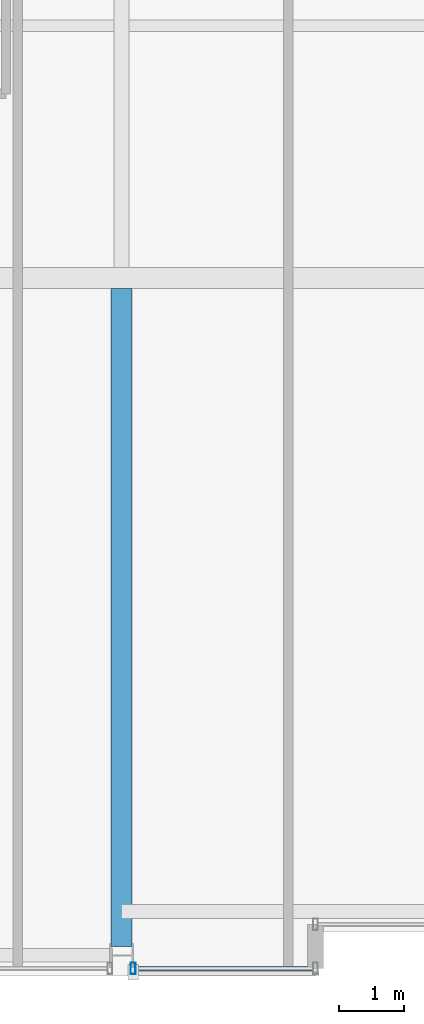
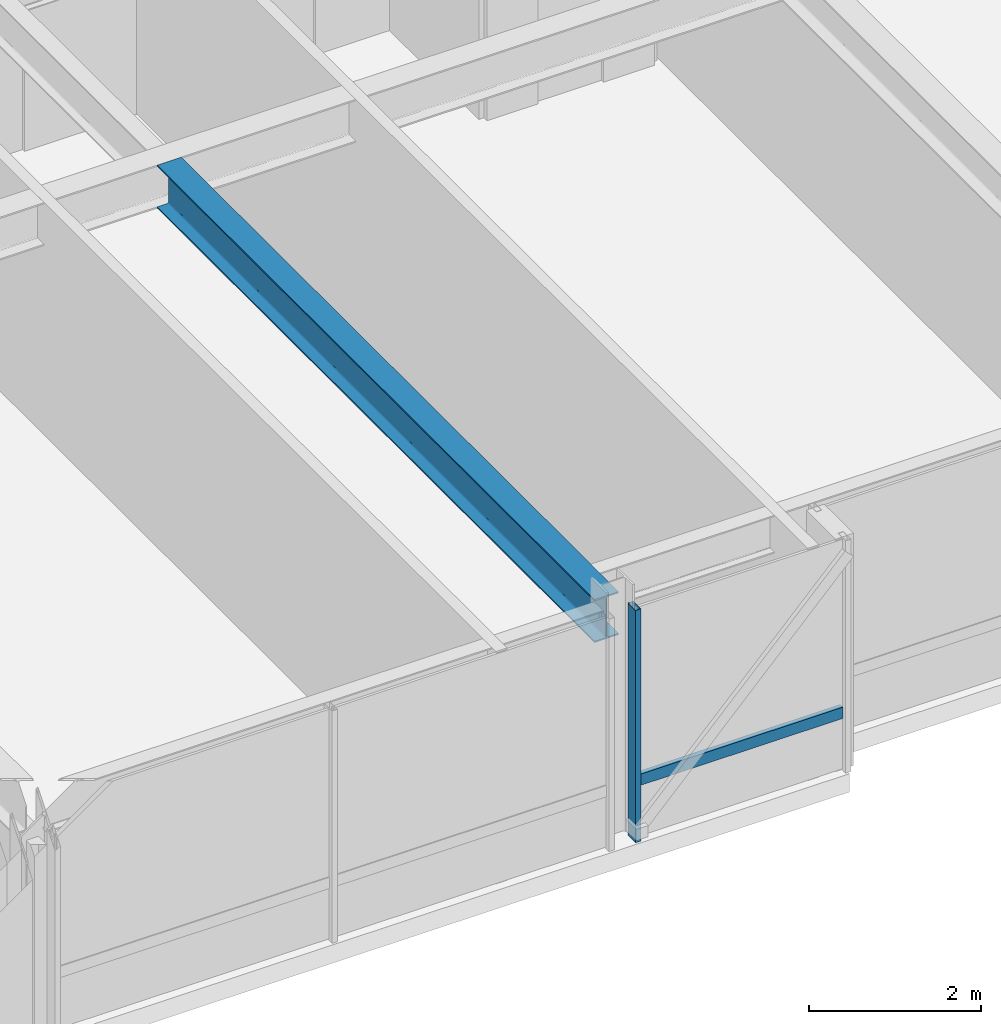
# One storey, part 4 of 34: 2 members, 1 beam, 1 element without a shape of its own.
"""IFC4 building model written with IfcOpenShell, lengths in metres."""

from ifc_helpers import new_model, si_unit, direction, frame, origin, origin_2d, place, context, subcontext, project, spatial, hollow_rectangle, i_section, extrude, material, layer, layer_set, material_profile, profile_set, type_object, element, aggregate, save


model = new_model("IFC4")

# Units and contexts
model_context = context("Model", 3, precision=1e-05, world=origin(), true_north=direction((0.0, 1.0)))
body_context = subcontext(model_context, "Body", "Model", "MODEL_VIEW")
ifc_project = project(units=[si_unit("LENGTHUNIT", "METRE"), si_unit("AREAUNIT", "SQUARE_METRE"), si_unit("VOLUMEUNIT", "CUBIC_METRE"), si_unit("PLANEANGLEUNIT", "RADIAN"), si_unit("MASSUNIT", "GRAM", prefix="KILO")], contexts=[model_context])

# Site, building, storey
site_placement = place(None, origin())
site = spatial("IfcSite", under=ifc_project, at=site_placement, CompositionType="ELEMENT")
building_placement = place(site_placement, origin())
building = spatial("IfcBuilding", under=site, at=building_placement, Name="Drelvath Grand Hotel", CompositionType="ELEMENT")
storey_placement = place(building_placement, frame((0.0, 0.0, 251.89990234375)))
storey = spatial("IfcBuildingStorey", under=building, at=storey_placement, Name="L66", CompositionType="ELEMENT", Elevation=251.89990234375)

# Curtain wall, members
ifc_material_1 = material(Name="Platinum-Mist Anodised Aluminium Frame", Category="aluminium")
ifc_layer = layer(ifc_material_1, 0.199951171875)
ifc_layer_set = layer_set([ifc_layer], Name="Platinum-Mist Anodised Aluminium Frame")
curtain_wall_type = type_object("IfcCurtainWallType", Name="Stick Curtain Wall CW-05 Platinum Mist High-Rise", PredefinedType="NOTDEFINED", material=ifc_layer_set)
curtain_wall_placement = place(storey_placement, origin())
curtain_wall = element("IfcCurtainWall", 1, at=curtain_wall_placement, inside=storey, type_object=curtain_wall_type, Name="L66 CW-05 Curtain Wall CW05-L66-SW3", PredefinedType="NOTDEFINED")
ifc_material_profile_1 = material_profile(ifc_material_1, hollow_rectangle(XDim=0.06494140625, YDim=0.159912109375, WallThickness=0.00390625, at=origin_2d()), Name="HSS160X65X4")
ifc_profile_set_1 = profile_set([ifc_material_profile_1], Name="Platinum-Mist Anodised Aluminium Frame")
member_type_1 = type_object("IfcMemberType", Name="Curtain Wall Horizontal Transom CW-05 HSS160X65X4", PredefinedType="USERDEFINED", material=ifc_profile_set_1)
member_1_placement = place(storey_placement, frame((-5.43994140625, 0.1201171875, 0.8251953125), z_axis=(-1.0, 0.0, 0.0), x_axis=(0.0, -1.0, 0.0)))
member_1 = element("IfcMember", 2, at=member_1_placement, type_object=member_type_1, Name="CW05-L66-SW3 Sill Transom", ObjectType="TRANSOM", PredefinedType="USERDEFINED", context=body_context, shape_type="SweptSolid", body=[
    extrude(hollow_rectangle(XDim=0.06494140625, YDim=0.159912109375, WallThickness=0.00390625, at=origin_2d()), origin(), (0.0, 0.0, 1.0), 2.741943359375),
])
ifc_material_profile_2 = material_profile(ifc_material_1, hollow_rectangle(XDim=0.074951171875, YDim=0.179931640625, WallThickness=0.0048828125, at=origin_2d()), Name="HSS180X75X5")
ifc_profile_set_2 = profile_set([ifc_material_profile_2], Name="Platinum-Mist Anodised Aluminium Frame")
member_type_2 = type_object("IfcMemberType", Name="Curtain Wall Vertical Mullion CW-05 HSS180X75X5", PredefinedType="MULLION", material=ifc_profile_set_2)
member_2_placement = place(storey_placement, frame((-8.2216796875, 0.1201171875, 0.0), z_axis=(0.0, 0.0, 1.0), x_axis=(1.0, 0.0, 0.0)))
member_2 = element("IfcMember", 3, at=member_2_placement, type_object=member_type_2, Name="CW05-L66-SW3 Mullion 2", PredefinedType="MULLION", context=body_context, shape_type="SweptSolid", body=[
    extrude(hollow_rectangle(XDim=0.074951171875, YDim=0.179931640625, WallThickness=0.0048828125, at=origin_2d()), origin(), (0.0, 0.0, 1.0), 3.300048828125),
])
aggregate(curtain_wall, [member_2, member_1])

# Beam
ifc_material_2 = material(Name="Steel ASTM A992 Gr 50", Category="steel")
ifc_material_profile_3 = material_profile(ifc_material_2, i_section(OverallWidth=0.323974609375, OverallDepth=0.611083984375, WebThickness=0.0126953125, FlangeThickness=0.01904296875, FilletRadius=0.02197265625, at=origin_2d()), Name="W24X104")
ifc_profile_set_3 = profile_set([ifc_material_profile_3], Name="Steel ASTM A992 Gr 50")
beam_type = type_object("IfcBeamType", Name="Primary Floor Girder W24X104", PredefinedType="BEAM", material=ifc_profile_set_3)
beam_placement = place(storey_placement, frame((-8.39990234375, 0.4599609375, 2.994384765625), z_axis=(0.0, 1.0, 0.0), x_axis=(-1.0, 0.0, 0.0)))
element("IfcBeam", 4, at=beam_placement, inside=storey, type_object=beam_type, Name="L66 South Wing Girder 4", PredefinedType="BEAM", context=body_context, shape_type="SweptSolid", body=[
    extrude(i_section(OverallWidth=0.323974609375, OverallDepth=0.611083984375, WebThickness=0.0126953125, FlangeThickness=0.01904296875, FilletRadius=0.02197265625, at=origin_2d()), origin(), (0.0, 0.0, 1.0), 10.177978515625),
])

save(model, "model.ifc")
